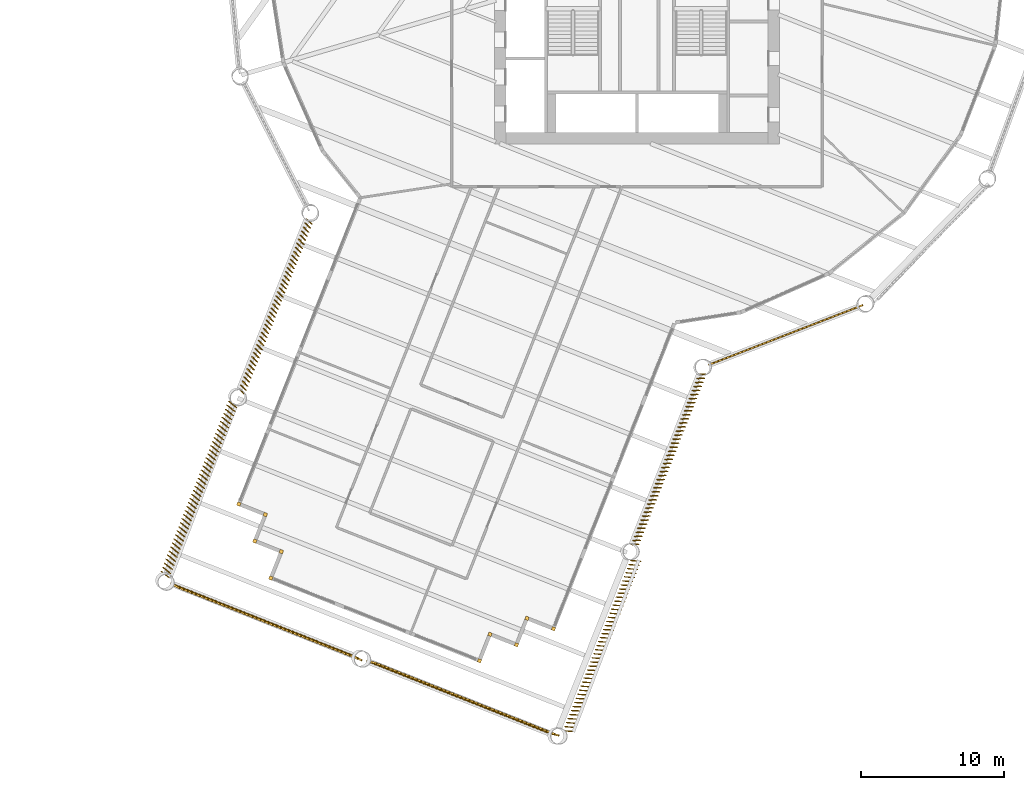
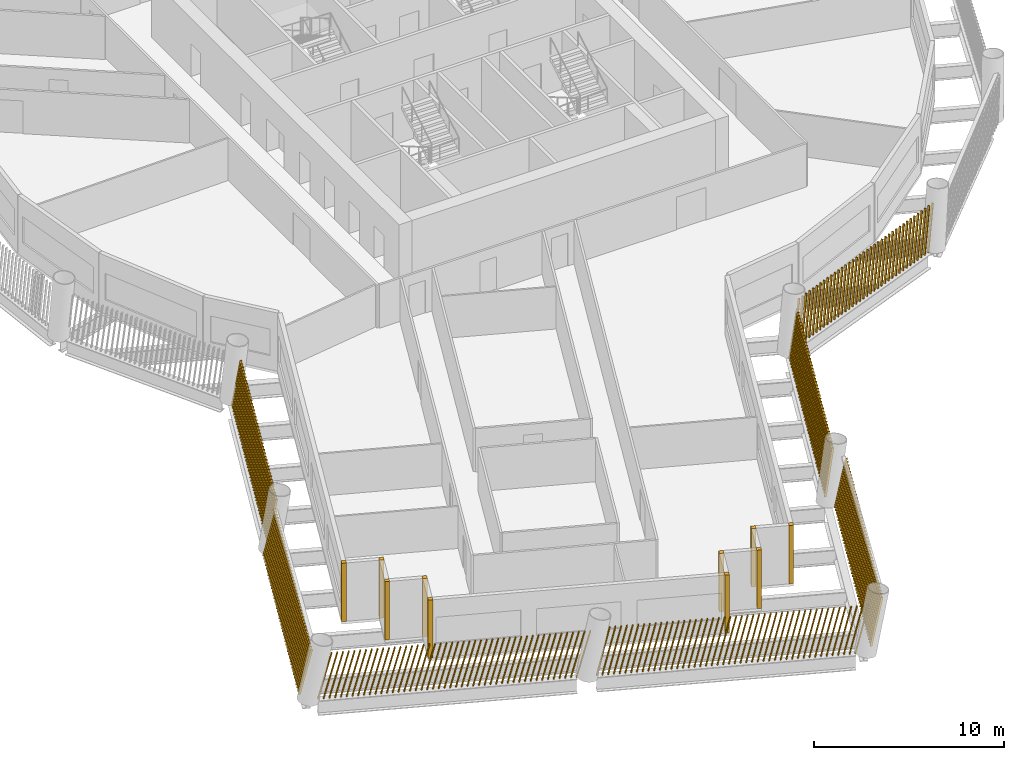
# One storey, part 12 of 17: 17 shading devices.
"""IFC4 building model written with IfcOpenShell, lengths in metres."""

from ifc_helpers import new_model, si_unit, direction, frame, frame_2d, origin, origin_2d, place, context, subcontext, project, spatial, rectangle, composite_profile, extrude, material, type_object, element, save


model = new_model("IFC4")

# Units and contexts
model_context = context("Model", 3, precision=1e-05, world=origin(), true_north=direction((0.0, 1.0)))
body_context = subcontext(model_context, "Body", "Model", "MODEL_VIEW")
ifc_project = project(units=[si_unit("LENGTHUNIT", "METRE"), si_unit("AREAUNIT", "SQUARE_METRE"), si_unit("VOLUMEUNIT", "CUBIC_METRE"), si_unit("PLANEANGLEUNIT", "RADIAN"), si_unit("MASSUNIT", "GRAM", prefix="KILO")], contexts=[model_context])

# Site, building, storey
site_placement = place(None, origin())
site = spatial("IfcSite", under=ifc_project, at=site_placement, CompositionType="ELEMENT")
building_placement = place(site_placement, origin())
building = spatial("IfcBuilding", under=site, at=building_placement, Name="Tarsis Ring Headquarters", CompositionType="ELEMENT")
storey_placement = place(building_placement, frame((0.0, 0.0, 127.89990234375)))
storey = spatial("IfcBuildingStorey", under=building, at=storey_placement, Name="L29", CompositionType="ELEMENT", Elevation=127.89990234375)

# Shading devices
ifc_material = material(Name="Terracotta baguette", Category="masonry")
shading_device_type_1 = type_object("IfcShadingDeviceType", Name="Terracotta baguette screen", PredefinedType="USERDEFINED", material=ifc_material)
shading_device_1_placement = place(storey_placement, frame((-23.152587890625, -18.248779296875, 0.0), z_axis=(0.0, 0.0, 1.0), x_axis=(-0.368452921586, -0.929647290342, 0.0)))
element("IfcShadingDevice", 1, at=shading_device_1_placement, inside=storey, type_object=shading_device_type_1, Name="Baguette screen L29-01", ObjectType="Terracotta baguette screen", PredefinedType="USERDEFINED", context=body_context, shape_type="SweptSolid", body=[
    extrude(composite_profile([rectangle(XDim=0.06005859375, YDim=0.1201171875, at=frame_2d((0.030029296875, 0.0))), rectangle(XDim=0.06005859375, YDim=0.1201171875, at=frame_2d((0.335693359375, 0.0))), rectangle(XDim=0.06005859375, YDim=0.1201171875, at=frame_2d((0.6416015625, 0.0))), rectangle(XDim=0.06005859375, YDim=0.1201171875, at=frame_2d((0.947265625, 0.0))), rectangle(XDim=0.06005859375, YDim=0.1201171875, at=frame_2d((1.253173828125, 0.0))), rectangle(XDim=0.06005859375, YDim=0.1201171875, at=frame_2d((1.558837890625, 0.0))), rectangle(XDim=0.06005859375, YDim=0.1201171875, at=frame_2d((1.864501953125, 0.0))), rectangle(XDim=0.06005859375, YDim=0.1201171875, at=frame_2d((2.17041015625, 0.0))), rectangle(XDim=0.06005859375, YDim=0.1201171875, at=frame_2d((2.47607421875, 0.0))), rectangle(XDim=0.06005859375, YDim=0.1201171875, at=frame_2d((2.781982421875, 0.0))), rectangle(XDim=0.06005859375, YDim=0.1201171875, at=frame_2d((3.087646484375, 0.0))), rectangle(XDim=0.06005859375, YDim=0.1201171875, at=frame_2d((3.393310546875, 0.0))), rectangle(XDim=0.06005859375, YDim=0.1201171875, at=frame_2d((3.69921875, 0.0))), rectangle(XDim=0.06005859375, YDim=0.1201171875, at=frame_2d((4.0048828125, 0.0))), rectangle(XDim=0.06005859375, YDim=0.1201171875, at=frame_2d((4.310791015625, 0.0))), rectangle(XDim=0.06005859375, YDim=0.1201171875, at=frame_2d((4.616455078125, 0.0))), rectangle(XDim=0.06005859375, YDim=0.1201171875, at=frame_2d((4.922119140625, 0.0))), rectangle(XDim=0.06005859375, YDim=0.1201171875, at=frame_2d((5.22802734375, 0.0))), rectangle(XDim=0.06005859375, YDim=0.1201171875, at=frame_2d((5.53369140625, 0.0))), rectangle(XDim=0.06005859375, YDim=0.1201171875, at=frame_2d((5.839599609375, 0.0))), rectangle(XDim=0.06005859375, YDim=0.1201171875, at=frame_2d((6.145263671875, 0.0))), rectangle(XDim=0.06005859375, YDim=0.1201171875, at=frame_2d((6.451171875, 0.0))), rectangle(XDim=0.06005859375, YDim=0.1201171875, at=frame_2d((6.7568359375, 0.0))), rectangle(XDim=0.06005859375, YDim=0.1201171875, at=frame_2d((7.0625, 0.0))), rectangle(XDim=0.06005859375, YDim=0.1201171875, at=frame_2d((7.368408203125, 0.0))), rectangle(XDim=0.06005859375, YDim=0.1201171875, at=frame_2d((7.674072265625, 0.0))), rectangle(XDim=0.06005859375, YDim=0.1201171875, at=frame_2d((7.97998046875, 0.0))), rectangle(XDim=0.06005859375, YDim=0.1201171875, at=frame_2d((8.28564453125, 0.0))), rectangle(XDim=0.06005859375, YDim=0.1201171875, at=frame_2d((8.59130859375, 0.0))), rectangle(XDim=0.06005859375, YDim=0.1201171875, at=frame_2d((8.897216796875, 0.0))), rectangle(XDim=0.06005859375, YDim=0.1201171875, at=frame_2d((9.202880859375, 0.0))), rectangle(XDim=0.06005859375, YDim=0.1201171875, at=frame_2d((9.5087890625, 0.0))), rectangle(XDim=0.06005859375, YDim=0.1201171875, at=frame_2d((9.814453125, 0.0))), rectangle(XDim=0.06005859375, YDim=0.1201171875, at=frame_2d((10.1201171875, 0.0))), rectangle(XDim=0.06005859375, YDim=0.1201171875, at=frame_2d((10.426025390625, 0.0))), rectangle(XDim=0.06005859375, YDim=0.1201171875, at=frame_2d((10.731689453125, 0.0))), rectangle(XDim=0.06005859375, YDim=0.1201171875, at=frame_2d((11.03759765625, 0.0))), rectangle(XDim=0.06005859375, YDim=0.1201171875, at=frame_2d((11.34326171875, 0.0))), rectangle(XDim=0.06005859375, YDim=0.1201171875, at=frame_2d((11.64892578125, 0.0))), rectangle(XDim=0.06005859375, YDim=0.1201171875, at=frame_2d((11.954833984375, 0.0))), rectangle(XDim=0.06005859375, YDim=0.1201171875, at=frame_2d((12.260498046875, 0.0))), rectangle(XDim=0.06005859375, YDim=0.1201171875, at=frame_2d((12.56640625, 0.0))), rectangle(XDim=0.06005859375, YDim=0.1201171875, at=frame_2d((12.8720703125, 0.0)))]), origin(), (0.066363957676, 0.145845918532, 0.987078919423), 2.9912109375),
])
shading_device_2_placement = place(storey_placement, frame((-28.62353515625, -31.034912109375, 0.0), z_axis=(0.0, 0.0, 1.0), x_axis=(-0.368440971105, -0.929645959089, 0.0)))
element("IfcShadingDevice", 2, at=shading_device_2_placement, inside=storey, type_object=shading_device_type_1, Name="Baguette screen L29-02", ObjectType="Terracotta baguette screen", PredefinedType="USERDEFINED", context=body_context, shape_type="SweptSolid", body=[
    extrude(composite_profile([rectangle(XDim=0.06005859375, YDim=0.1201171875, at=frame_2d((0.030029296875, 0.0))), rectangle(XDim=0.06005859375, YDim=0.1201171875, at=frame_2d((0.335693359375, 0.0))), rectangle(XDim=0.06005859375, YDim=0.1201171875, at=frame_2d((0.6416015625, 0.0))), rectangle(XDim=0.06005859375, YDim=0.1201171875, at=frame_2d((0.947265625, 0.0))), rectangle(XDim=0.06005859375, YDim=0.1201171875, at=frame_2d((1.253173828125, 0.0))), rectangle(XDim=0.06005859375, YDim=0.1201171875, at=frame_2d((1.558837890625, 0.0))), rectangle(XDim=0.06005859375, YDim=0.1201171875, at=frame_2d((1.864501953125, 0.0))), rectangle(XDim=0.06005859375, YDim=0.1201171875, at=frame_2d((2.17041015625, 0.0))), rectangle(XDim=0.06005859375, YDim=0.1201171875, at=frame_2d((2.47607421875, 0.0))), rectangle(XDim=0.06005859375, YDim=0.1201171875, at=frame_2d((2.781982421875, 0.0))), rectangle(XDim=0.06005859375, YDim=0.1201171875, at=frame_2d((3.087646484375, 0.0))), rectangle(XDim=0.06005859375, YDim=0.1201171875, at=frame_2d((3.393310546875, 0.0))), rectangle(XDim=0.06005859375, YDim=0.1201171875, at=frame_2d((3.69921875, 0.0))), rectangle(XDim=0.06005859375, YDim=0.1201171875, at=frame_2d((4.0048828125, 0.0))), rectangle(XDim=0.06005859375, YDim=0.1201171875, at=frame_2d((4.310791015625, 0.0))), rectangle(XDim=0.06005859375, YDim=0.1201171875, at=frame_2d((4.616455078125, 0.0))), rectangle(XDim=0.06005859375, YDim=0.1201171875, at=frame_2d((4.922119140625, 0.0))), rectangle(XDim=0.06005859375, YDim=0.1201171875, at=frame_2d((5.22802734375, 0.0))), rectangle(XDim=0.06005859375, YDim=0.1201171875, at=frame_2d((5.53369140625, 0.0))), rectangle(XDim=0.06005859375, YDim=0.1201171875, at=frame_2d((5.839599609375, 0.0))), rectangle(XDim=0.06005859375, YDim=0.1201171875, at=frame_2d((6.145263671875, 0.0))), rectangle(XDim=0.06005859375, YDim=0.1201171875, at=frame_2d((6.451171875, 0.0))), rectangle(XDim=0.06005859375, YDim=0.1201171875, at=frame_2d((6.7568359375, 0.0))), rectangle(XDim=0.06005859375, YDim=0.1201171875, at=frame_2d((7.0625, 0.0))), rectangle(XDim=0.06005859375, YDim=0.1201171875, at=frame_2d((7.368408203125, 0.0))), rectangle(XDim=0.06005859375, YDim=0.1201171875, at=frame_2d((7.674072265625, 0.0))), rectangle(XDim=0.06005859375, YDim=0.1201171875, at=frame_2d((7.97998046875, 0.0))), rectangle(XDim=0.06005859375, YDim=0.1201171875, at=frame_2d((8.28564453125, 0.0))), rectangle(XDim=0.06005859375, YDim=0.1201171875, at=frame_2d((8.59130859375, 0.0))), rectangle(XDim=0.06005859375, YDim=0.1201171875, at=frame_2d((8.897216796875, 0.0))), rectangle(XDim=0.06005859375, YDim=0.1201171875, at=frame_2d((9.202880859375, 0.0))), rectangle(XDim=0.06005859375, YDim=0.1201171875, at=frame_2d((9.5087890625, 0.0))), rectangle(XDim=0.06005859375, YDim=0.1201171875, at=frame_2d((9.814453125, 0.0))), rectangle(XDim=0.06005859375, YDim=0.1201171875, at=frame_2d((10.1201171875, 0.0))), rectangle(XDim=0.06005859375, YDim=0.1201171875, at=frame_2d((10.426025390625, 0.0))), rectangle(XDim=0.06005859375, YDim=0.1201171875, at=frame_2d((10.731689453125, 0.0))), rectangle(XDim=0.06005859375, YDim=0.1201171875, at=frame_2d((11.03759765625, 0.0))), rectangle(XDim=0.06005859375, YDim=0.1201171875, at=frame_2d((11.34326171875, 0.0))), rectangle(XDim=0.06005859375, YDim=0.1201171875, at=frame_2d((11.64892578125, 0.0))), rectangle(XDim=0.06005859375, YDim=0.1201171875, at=frame_2d((11.954833984375, 0.0))), rectangle(XDim=0.06005859375, YDim=0.1201171875, at=frame_2d((12.260498046875, 0.0))), rectangle(XDim=0.06005859375, YDim=0.1201171875, at=frame_2d((12.56640625, 0.0))), rectangle(XDim=0.06005859375, YDim=0.1201171875, at=frame_2d((12.8720703125, 0.0)))]), origin(), (0.066888724222, 0.20679673674, 0.976094774213), 3.02490234375),
])
shading_device_3_placement = place(storey_placement, frame((-32.748046875, -43.816650390625, 0.0), z_axis=(0.0, 0.0, 1.0), x_axis=(0.929658198287, -0.36844526219, 0.0)))
element("IfcShadingDevice", 3, at=shading_device_3_placement, inside=storey, type_object=shading_device_type_1, Name="Baguette screen L29-03", ObjectType="Terracotta baguette screen", PredefinedType="USERDEFINED", context=body_context, shape_type="SweptSolid", body=[
    extrude(composite_profile([rectangle(XDim=0.06005859375, YDim=0.1201171875, at=frame_2d((0.030029296875, 0.0))), rectangle(XDim=0.06005859375, YDim=0.1201171875, at=frame_2d((0.33544921875, 0.0))), rectangle(XDim=0.06005859375, YDim=0.1201171875, at=frame_2d((0.640625, 0.0))), rectangle(XDim=0.06005859375, YDim=0.1201171875, at=frame_2d((0.946044921875, 0.0))), rectangle(XDim=0.06005859375, YDim=0.1201171875, at=frame_2d((1.25146484375, 0.0))), rectangle(XDim=0.06005859375, YDim=0.1201171875, at=frame_2d((1.556640625, 0.0))), rectangle(XDim=0.06005859375, YDim=0.1201171875, at=frame_2d((1.862060546875, 0.0))), rectangle(XDim=0.06005859375, YDim=0.1201171875, at=frame_2d((2.16748046875, 0.0))), rectangle(XDim=0.06005859375, YDim=0.1201171875, at=frame_2d((2.47265625, 0.0))), rectangle(XDim=0.06005859375, YDim=0.1201171875, at=frame_2d((2.778076171875, 0.0))), rectangle(XDim=0.06005859375, YDim=0.1201171875, at=frame_2d((3.08349609375, 0.0))), rectangle(XDim=0.06005859375, YDim=0.1201171875, at=frame_2d((3.388671875, 0.0))), rectangle(XDim=0.06005859375, YDim=0.1201171875, at=frame_2d((3.694091796875, 0.0))), rectangle(XDim=0.06005859375, YDim=0.1201171875, at=frame_2d((3.99951171875, 0.0))), rectangle(XDim=0.06005859375, YDim=0.1201171875, at=frame_2d((4.3046875, 0.0))), rectangle(XDim=0.06005859375, YDim=0.1201171875, at=frame_2d((4.610107421875, 0.0))), rectangle(XDim=0.06005859375, YDim=0.1201171875, at=frame_2d((4.91552734375, 0.0))), rectangle(XDim=0.06005859375, YDim=0.1201171875, at=frame_2d((5.220703125, 0.0))), rectangle(XDim=0.06005859375, YDim=0.1201171875, at=frame_2d((5.526123046875, 0.0))), rectangle(XDim=0.06005859375, YDim=0.1201171875, at=frame_2d((5.83154296875, 0.0))), rectangle(XDim=0.06005859375, YDim=0.1201171875, at=frame_2d((6.13671875, 0.0))), rectangle(XDim=0.06005859375, YDim=0.1201171875, at=frame_2d((6.442138671875, 0.0))), rectangle(XDim=0.06005859375, YDim=0.1201171875, at=frame_2d((6.74755859375, 0.0))), rectangle(XDim=0.06005859375, YDim=0.1201171875, at=frame_2d((7.052734375, 0.0))), rectangle(XDim=0.06005859375, YDim=0.1201171875, at=frame_2d((7.358154296875, 0.0))), rectangle(XDim=0.06005859375, YDim=0.1201171875, at=frame_2d((7.66357421875, 0.0))), rectangle(XDim=0.06005859375, YDim=0.1201171875, at=frame_2d((7.96875, 0.0))), rectangle(XDim=0.06005859375, YDim=0.1201171875, at=frame_2d((8.274169921875, 0.0))), rectangle(XDim=0.06005859375, YDim=0.1201171875, at=frame_2d((8.57958984375, 0.0))), rectangle(XDim=0.06005859375, YDim=0.1201171875, at=frame_2d((8.884765625, 0.0))), rectangle(XDim=0.06005859375, YDim=0.1201171875, at=frame_2d((9.190185546875, 0.0))), rectangle(XDim=0.06005859375, YDim=0.1201171875, at=frame_2d((9.49560546875, 0.0))), rectangle(XDim=0.06005859375, YDim=0.1201171875, at=frame_2d((9.80078125, 0.0))), rectangle(XDim=0.06005859375, YDim=0.1201171875, at=frame_2d((10.106201171875, 0.0))), rectangle(XDim=0.06005859375, YDim=0.1201171875, at=frame_2d((10.41162109375, 0.0))), rectangle(XDim=0.06005859375, YDim=0.1201171875, at=frame_2d((10.716796875, 0.0))), rectangle(XDim=0.06005859375, YDim=0.1201171875, at=frame_2d((11.022216796875, 0.0))), rectangle(XDim=0.06005859375, YDim=0.1201171875, at=frame_2d((11.32763671875, 0.0))), rectangle(XDim=0.06005859375, YDim=0.1201171875, at=frame_2d((11.6328125, 0.0))), rectangle(XDim=0.06005859375, YDim=0.1201171875, at=frame_2d((11.938232421875, 0.0))), rectangle(XDim=0.06005859375, YDim=0.1201171875, at=frame_2d((12.24365234375, 0.0))), rectangle(XDim=0.06005859375, YDim=0.1201171875, at=frame_2d((12.548828125, 0.0))), rectangle(XDim=0.06005859375, YDim=0.1201171875, at=frame_2d((12.854248046875, 0.0))), rectangle(XDim=0.06005859375, YDim=0.1201171875, at=frame_2d((13.15966796875, 0.0))), rectangle(XDim=0.06005859375, YDim=0.1201171875, at=frame_2d((13.46484375, 0.0))), rectangle(XDim=0.06005859375, YDim=0.1201171875, at=frame_2d((13.770263671875, 0.0)))]), origin(), (0.236624258299, -0.031524148331, 0.971089691252), 3.04052734375),
])
shading_device_4_placement = place(storey_placement, frame((-18.9892578125, -49.26953125, 0.0), z_axis=(0.0, 0.0, 1.0), x_axis=(0.929641751437, -0.368456435206, 0.0)))
element("IfcShadingDevice", 4, at=shading_device_4_placement, inside=storey, type_object=shading_device_type_1, Name="Baguette screen L29-04", ObjectType="Terracotta baguette screen", PredefinedType="USERDEFINED", context=body_context, shape_type="SweptSolid", body=[
    extrude(composite_profile([rectangle(XDim=0.06005859375, YDim=0.1201171875, at=frame_2d((0.030029296875, 0.0))), rectangle(XDim=0.06005859375, YDim=0.1201171875, at=frame_2d((0.33544921875, 0.0))), rectangle(XDim=0.06005859375, YDim=0.1201171875, at=frame_2d((0.640625, 0.0))), rectangle(XDim=0.06005859375, YDim=0.1201171875, at=frame_2d((0.946044921875, 0.0))), rectangle(XDim=0.06005859375, YDim=0.1201171875, at=frame_2d((1.25146484375, 0.0))), rectangle(XDim=0.06005859375, YDim=0.1201171875, at=frame_2d((1.556640625, 0.0))), rectangle(XDim=0.06005859375, YDim=0.1201171875, at=frame_2d((1.862060546875, 0.0))), rectangle(XDim=0.06005859375, YDim=0.1201171875, at=frame_2d((2.16748046875, 0.0))), rectangle(XDim=0.06005859375, YDim=0.1201171875, at=frame_2d((2.47265625, 0.0))), rectangle(XDim=0.06005859375, YDim=0.1201171875, at=frame_2d((2.778076171875, 0.0))), rectangle(XDim=0.06005859375, YDim=0.1201171875, at=frame_2d((3.08349609375, 0.0))), rectangle(XDim=0.06005859375, YDim=0.1201171875, at=frame_2d((3.388671875, 0.0))), rectangle(XDim=0.06005859375, YDim=0.1201171875, at=frame_2d((3.694091796875, 0.0))), rectangle(XDim=0.06005859375, YDim=0.1201171875, at=frame_2d((3.99951171875, 0.0))), rectangle(XDim=0.06005859375, YDim=0.1201171875, at=frame_2d((4.3046875, 0.0))), rectangle(XDim=0.06005859375, YDim=0.1201171875, at=frame_2d((4.610107421875, 0.0))), rectangle(XDim=0.06005859375, YDim=0.1201171875, at=frame_2d((4.91552734375, 0.0))), rectangle(XDim=0.06005859375, YDim=0.1201171875, at=frame_2d((5.220703125, 0.0))), rectangle(XDim=0.06005859375, YDim=0.1201171875, at=frame_2d((5.526123046875, 0.0))), rectangle(XDim=0.06005859375, YDim=0.1201171875, at=frame_2d((5.83154296875, 0.0))), rectangle(XDim=0.06005859375, YDim=0.1201171875, at=frame_2d((6.13671875, 0.0))), rectangle(XDim=0.06005859375, YDim=0.1201171875, at=frame_2d((6.442138671875, 0.0))), rectangle(XDim=0.06005859375, YDim=0.1201171875, at=frame_2d((6.74755859375, 0.0))), rectangle(XDim=0.06005859375, YDim=0.1201171875, at=frame_2d((7.052734375, 0.0))), rectangle(XDim=0.06005859375, YDim=0.1201171875, at=frame_2d((7.358154296875, 0.0))), rectangle(XDim=0.06005859375, YDim=0.1201171875, at=frame_2d((7.66357421875, 0.0))), rectangle(XDim=0.06005859375, YDim=0.1201171875, at=frame_2d((7.96875, 0.0))), rectangle(XDim=0.06005859375, YDim=0.1201171875, at=frame_2d((8.274169921875, 0.0))), rectangle(XDim=0.06005859375, YDim=0.1201171875, at=frame_2d((8.57958984375, 0.0))), rectangle(XDim=0.06005859375, YDim=0.1201171875, at=frame_2d((8.884765625, 0.0))), rectangle(XDim=0.06005859375, YDim=0.1201171875, at=frame_2d((9.190185546875, 0.0))), rectangle(XDim=0.06005859375, YDim=0.1201171875, at=frame_2d((9.49560546875, 0.0))), rectangle(XDim=0.06005859375, YDim=0.1201171875, at=frame_2d((9.80078125, 0.0))), rectangle(XDim=0.06005859375, YDim=0.1201171875, at=frame_2d((10.106201171875, 0.0))), rectangle(XDim=0.06005859375, YDim=0.1201171875, at=frame_2d((10.41162109375, 0.0))), rectangle(XDim=0.06005859375, YDim=0.1201171875, at=frame_2d((10.716796875, 0.0))), rectangle(XDim=0.06005859375, YDim=0.1201171875, at=frame_2d((11.022216796875, 0.0))), rectangle(XDim=0.06005859375, YDim=0.1201171875, at=frame_2d((11.32763671875, 0.0))), rectangle(XDim=0.06005859375, YDim=0.1201171875, at=frame_2d((11.6328125, 0.0))), rectangle(XDim=0.06005859375, YDim=0.1201171875, at=frame_2d((11.938232421875, 0.0))), rectangle(XDim=0.06005859375, YDim=0.1201171875, at=frame_2d((12.24365234375, 0.0))), rectangle(XDim=0.06005859375, YDim=0.1201171875, at=frame_2d((12.548828125, 0.0))), rectangle(XDim=0.06005859375, YDim=0.1201171875, at=frame_2d((12.854248046875, 0.0))), rectangle(XDim=0.06005859375, YDim=0.1201171875, at=frame_2d((13.15966796875, 0.0))), rectangle(XDim=0.06005859375, YDim=0.1201171875, at=frame_2d((13.46484375, 0.0))), rectangle(XDim=0.06005859375, YDim=0.1201171875, at=frame_2d((13.770263671875, 0.0)))]), origin(), (0.23617054866, 0.034742744485, 0.971090322087), 3.04052734375),
])
shading_device_5_placement = place(storey_placement, frame((-5.16259765625, -54.2119140625, 0.0), z_axis=(0.0, 0.0, 1.0), x_axis=(0.368452921586, 0.929647290342, 0.0)))
element("IfcShadingDevice", 5, at=shading_device_5_placement, inside=storey, type_object=shading_device_type_1, Name="Baguette screen L29-05", ObjectType="Terracotta baguette screen", PredefinedType="USERDEFINED", context=body_context, shape_type="SweptSolid", body=[
    extrude(composite_profile([rectangle(XDim=0.06005859375, YDim=0.1201171875, at=frame_2d((0.030029296875, 0.0))), rectangle(XDim=0.06005859375, YDim=0.1201171875, at=frame_2d((0.335693359375, 0.0))), rectangle(XDim=0.06005859375, YDim=0.1201171875, at=frame_2d((0.6416015625, 0.0))), rectangle(XDim=0.06005859375, YDim=0.1201171875, at=frame_2d((0.947265625, 0.0))), rectangle(XDim=0.06005859375, YDim=0.1201171875, at=frame_2d((1.253173828125, 0.0))), rectangle(XDim=0.06005859375, YDim=0.1201171875, at=frame_2d((1.558837890625, 0.0))), rectangle(XDim=0.06005859375, YDim=0.1201171875, at=frame_2d((1.864501953125, 0.0))), rectangle(XDim=0.06005859375, YDim=0.1201171875, at=frame_2d((2.17041015625, 0.0))), rectangle(XDim=0.06005859375, YDim=0.1201171875, at=frame_2d((2.47607421875, 0.0))), rectangle(XDim=0.06005859375, YDim=0.1201171875, at=frame_2d((2.781982421875, 0.0))), rectangle(XDim=0.06005859375, YDim=0.1201171875, at=frame_2d((3.087646484375, 0.0))), rectangle(XDim=0.06005859375, YDim=0.1201171875, at=frame_2d((3.393310546875, 0.0))), rectangle(XDim=0.06005859375, YDim=0.1201171875, at=frame_2d((3.69921875, 0.0))), rectangle(XDim=0.06005859375, YDim=0.1201171875, at=frame_2d((4.0048828125, 0.0))), rectangle(XDim=0.06005859375, YDim=0.1201171875, at=frame_2d((4.310791015625, 0.0))), rectangle(XDim=0.06005859375, YDim=0.1201171875, at=frame_2d((4.616455078125, 0.0))), rectangle(XDim=0.06005859375, YDim=0.1201171875, at=frame_2d((4.922119140625, 0.0))), rectangle(XDim=0.06005859375, YDim=0.1201171875, at=frame_2d((5.22802734375, 0.0))), rectangle(XDim=0.06005859375, YDim=0.1201171875, at=frame_2d((5.53369140625, 0.0))), rectangle(XDim=0.06005859375, YDim=0.1201171875, at=frame_2d((5.839599609375, 0.0))), rectangle(XDim=0.06005859375, YDim=0.1201171875, at=frame_2d((6.145263671875, 0.0))), rectangle(XDim=0.06005859375, YDim=0.1201171875, at=frame_2d((6.451171875, 0.0))), rectangle(XDim=0.06005859375, YDim=0.1201171875, at=frame_2d((6.7568359375, 0.0))), rectangle(XDim=0.06005859375, YDim=0.1201171875, at=frame_2d((7.0625, 0.0))), rectangle(XDim=0.06005859375, YDim=0.1201171875, at=frame_2d((7.368408203125, 0.0))), rectangle(XDim=0.06005859375, YDim=0.1201171875, at=frame_2d((7.674072265625, 0.0))), rectangle(XDim=0.06005859375, YDim=0.1201171875, at=frame_2d((7.97998046875, 0.0))), rectangle(XDim=0.06005859375, YDim=0.1201171875, at=frame_2d((8.28564453125, 0.0))), rectangle(XDim=0.06005859375, YDim=0.1201171875, at=frame_2d((8.59130859375, 0.0))), rectangle(XDim=0.06005859375, YDim=0.1201171875, at=frame_2d((8.897216796875, 0.0))), rectangle(XDim=0.06005859375, YDim=0.1201171875, at=frame_2d((9.202880859375, 0.0))), rectangle(XDim=0.06005859375, YDim=0.1201171875, at=frame_2d((9.5087890625, 0.0))), rectangle(XDim=0.06005859375, YDim=0.1201171875, at=frame_2d((9.814453125, 0.0))), rectangle(XDim=0.06005859375, YDim=0.1201171875, at=frame_2d((10.1201171875, 0.0))), rectangle(XDim=0.06005859375, YDim=0.1201171875, at=frame_2d((10.426025390625, 0.0))), rectangle(XDim=0.06005859375, YDim=0.1201171875, at=frame_2d((10.731689453125, 0.0))), rectangle(XDim=0.06005859375, YDim=0.1201171875, at=frame_2d((11.03759765625, 0.0))), rectangle(XDim=0.06005859375, YDim=0.1201171875, at=frame_2d((11.34326171875, 0.0))), rectangle(XDim=0.06005859375, YDim=0.1201171875, at=frame_2d((11.64892578125, 0.0))), rectangle(XDim=0.06005859375, YDim=0.1201171875, at=frame_2d((11.954833984375, 0.0))), rectangle(XDim=0.06005859375, YDim=0.1201171875, at=frame_2d((12.260498046875, 0.0))), rectangle(XDim=0.06005859375, YDim=0.1201171875, at=frame_2d((12.56640625, 0.0))), rectangle(XDim=0.06005859375, YDim=0.1201171875, at=frame_2d((12.8720703125, 0.0)))]), origin(), (0.06969734602, -0.205867995707, 0.976094589833), 3.02490234375),
])
shading_device_6_placement = place(storey_placement, frame((-0.388916015625, -41.1494140625, 0.0), z_axis=(0.0, 0.0, 1.0), x_axis=(0.368452921586, 0.929647290342, 0.0)))
element("IfcShadingDevice", 6, at=shading_device_6_placement, inside=storey, type_object=shading_device_type_1, Name="Baguette screen L29-06", ObjectType="Terracotta baguette screen", PredefinedType="USERDEFINED", context=body_context, shape_type="SweptSolid", body=[
    extrude(composite_profile([rectangle(XDim=0.06005859375, YDim=0.1201171875, at=frame_2d((0.030029296875, 0.0))), rectangle(XDim=0.06005859375, YDim=0.1201171875, at=frame_2d((0.335693359375, 0.0))), rectangle(XDim=0.06005859375, YDim=0.1201171875, at=frame_2d((0.6416015625, 0.0))), rectangle(XDim=0.06005859375, YDim=0.1201171875, at=frame_2d((0.947265625, 0.0))), rectangle(XDim=0.06005859375, YDim=0.1201171875, at=frame_2d((1.253173828125, 0.0))), rectangle(XDim=0.06005859375, YDim=0.1201171875, at=frame_2d((1.558837890625, 0.0))), rectangle(XDim=0.06005859375, YDim=0.1201171875, at=frame_2d((1.864501953125, 0.0))), rectangle(XDim=0.06005859375, YDim=0.1201171875, at=frame_2d((2.17041015625, 0.0))), rectangle(XDim=0.06005859375, YDim=0.1201171875, at=frame_2d((2.47607421875, 0.0))), rectangle(XDim=0.06005859375, YDim=0.1201171875, at=frame_2d((2.781982421875, 0.0))), rectangle(XDim=0.06005859375, YDim=0.1201171875, at=frame_2d((3.087646484375, 0.0))), rectangle(XDim=0.06005859375, YDim=0.1201171875, at=frame_2d((3.393310546875, 0.0))), rectangle(XDim=0.06005859375, YDim=0.1201171875, at=frame_2d((3.69921875, 0.0))), rectangle(XDim=0.06005859375, YDim=0.1201171875, at=frame_2d((4.0048828125, 0.0))), rectangle(XDim=0.06005859375, YDim=0.1201171875, at=frame_2d((4.310791015625, 0.0))), rectangle(XDim=0.06005859375, YDim=0.1201171875, at=frame_2d((4.616455078125, 0.0))), rectangle(XDim=0.06005859375, YDim=0.1201171875, at=frame_2d((4.922119140625, 0.0))), rectangle(XDim=0.06005859375, YDim=0.1201171875, at=frame_2d((5.22802734375, 0.0))), rectangle(XDim=0.06005859375, YDim=0.1201171875, at=frame_2d((5.53369140625, 0.0))), rectangle(XDim=0.06005859375, YDim=0.1201171875, at=frame_2d((5.839599609375, 0.0))), rectangle(XDim=0.06005859375, YDim=0.1201171875, at=frame_2d((6.145263671875, 0.0))), rectangle(XDim=0.06005859375, YDim=0.1201171875, at=frame_2d((6.451171875, 0.0))), rectangle(XDim=0.06005859375, YDim=0.1201171875, at=frame_2d((6.7568359375, 0.0))), rectangle(XDim=0.06005859375, YDim=0.1201171875, at=frame_2d((7.0625, 0.0))), rectangle(XDim=0.06005859375, YDim=0.1201171875, at=frame_2d((7.368408203125, 0.0))), rectangle(XDim=0.06005859375, YDim=0.1201171875, at=frame_2d((7.674072265625, 0.0))), rectangle(XDim=0.06005859375, YDim=0.1201171875, at=frame_2d((7.97998046875, 0.0))), rectangle(XDim=0.06005859375, YDim=0.1201171875, at=frame_2d((8.28564453125, 0.0))), rectangle(XDim=0.06005859375, YDim=0.1201171875, at=frame_2d((8.59130859375, 0.0))), rectangle(XDim=0.06005859375, YDim=0.1201171875, at=frame_2d((8.897216796875, 0.0))), rectangle(XDim=0.06005859375, YDim=0.1201171875, at=frame_2d((9.202880859375, 0.0))), rectangle(XDim=0.06005859375, YDim=0.1201171875, at=frame_2d((9.5087890625, 0.0))), rectangle(XDim=0.06005859375, YDim=0.1201171875, at=frame_2d((9.814453125, 0.0))), rectangle(XDim=0.06005859375, YDim=0.1201171875, at=frame_2d((10.1201171875, 0.0))), rectangle(XDim=0.06005859375, YDim=0.1201171875, at=frame_2d((10.426025390625, 0.0))), rectangle(XDim=0.06005859375, YDim=0.1201171875, at=frame_2d((10.731689453125, 0.0))), rectangle(XDim=0.06005859375, YDim=0.1201171875, at=frame_2d((11.03759765625, 0.0))), rectangle(XDim=0.06005859375, YDim=0.1201171875, at=frame_2d((11.34326171875, 0.0))), rectangle(XDim=0.06005859375, YDim=0.1201171875, at=frame_2d((11.64892578125, 0.0))), rectangle(XDim=0.06005859375, YDim=0.1201171875, at=frame_2d((11.954833984375, 0.0))), rectangle(XDim=0.06005859375, YDim=0.1201171875, at=frame_2d((12.260498046875, 0.0))), rectangle(XDim=0.06005859375, YDim=0.1201171875, at=frame_2d((12.56640625, 0.0))), rectangle(XDim=0.06005859375, YDim=0.1201171875, at=frame_2d((12.8720703125, 0.0)))]), origin(), (0.068344194199, -0.144928163262, 0.987078972835), 2.9912109375),
])
shading_device_7_placement = place(storey_placement, frame((5.015380859375, -28.509521484375, 0.0), z_axis=(0.0, 0.0, 1.0), x_axis=(0.932437711607, 0.361316086466, 0.0)))
element("IfcShadingDevice", 7, at=shading_device_7_placement, inside=storey, type_object=shading_device_type_1, Name="Baguette screen L29-07", ObjectType="Terracotta baguette screen", PredefinedType="USERDEFINED", context=body_context, shape_type="SweptSolid", body=[
    extrude(composite_profile([rectangle(XDim=0.06005859375, YDim=0.1201171875, at=frame_2d((0.030029296875, 0.0))), rectangle(XDim=0.06005859375, YDim=0.1201171875, at=frame_2d((0.33251953125, 0.0))), rectangle(XDim=0.06005859375, YDim=0.1201171875, at=frame_2d((0.634765625, 0.0))), rectangle(XDim=0.06005859375, YDim=0.1201171875, at=frame_2d((0.937255859375, 0.0))), rectangle(XDim=0.06005859375, YDim=0.1201171875, at=frame_2d((1.239501953125, 0.0))), rectangle(XDim=0.06005859375, YDim=0.1201171875, at=frame_2d((1.5419921875, 0.0))), rectangle(XDim=0.06005859375, YDim=0.1201171875, at=frame_2d((1.844482421875, 0.0))), rectangle(XDim=0.06005859375, YDim=0.1201171875, at=frame_2d((2.146728515625, 0.0))), rectangle(XDim=0.06005859375, YDim=0.1201171875, at=frame_2d((2.44921875, 0.0))), rectangle(XDim=0.06005859375, YDim=0.1201171875, at=frame_2d((2.751708984375, 0.0))), rectangle(XDim=0.06005859375, YDim=0.1201171875, at=frame_2d((3.053955078125, 0.0))), rectangle(XDim=0.06005859375, YDim=0.1201171875, at=frame_2d((3.3564453125, 0.0))), rectangle(XDim=0.06005859375, YDim=0.1201171875, at=frame_2d((3.65869140625, 0.0))), rectangle(XDim=0.06005859375, YDim=0.1201171875, at=frame_2d((3.961181640625, 0.0))), rectangle(XDim=0.06005859375, YDim=0.1201171875, at=frame_2d((4.263671875, 0.0))), rectangle(XDim=0.06005859375, YDim=0.1201171875, at=frame_2d((4.56591796875, 0.0))), rectangle(XDim=0.06005859375, YDim=0.1201171875, at=frame_2d((4.868408203125, 0.0))), rectangle(XDim=0.06005859375, YDim=0.1201171875, at=frame_2d((5.1708984375, 0.0))), rectangle(XDim=0.06005859375, YDim=0.1201171875, at=frame_2d((5.47314453125, 0.0))), rectangle(XDim=0.06005859375, YDim=0.1201171875, at=frame_2d((5.775634765625, 0.0))), rectangle(XDim=0.06005859375, YDim=0.1201171875, at=frame_2d((6.077880859375, 0.0))), rectangle(XDim=0.06005859375, YDim=0.1201171875, at=frame_2d((6.38037109375, 0.0))), rectangle(XDim=0.06005859375, YDim=0.1201171875, at=frame_2d((6.682861328125, 0.0))), rectangle(XDim=0.06005859375, YDim=0.1201171875, at=frame_2d((6.985107421875, 0.0))), rectangle(XDim=0.06005859375, YDim=0.1201171875, at=frame_2d((7.28759765625, 0.0))), rectangle(XDim=0.06005859375, YDim=0.1201171875, at=frame_2d((7.590087890625, 0.0))), rectangle(XDim=0.06005859375, YDim=0.1201171875, at=frame_2d((7.892333984375, 0.0))), rectangle(XDim=0.06005859375, YDim=0.1201171875, at=frame_2d((8.19482421875, 0.0))), rectangle(XDim=0.06005859375, YDim=0.1201171875, at=frame_2d((8.4970703125, 0.0))), rectangle(XDim=0.06005859375, YDim=0.1201171875, at=frame_2d((8.799560546875, 0.0))), rectangle(XDim=0.06005859375, YDim=0.1201171875, at=frame_2d((9.10205078125, 0.0))), rectangle(XDim=0.06005859375, YDim=0.1201171875, at=frame_2d((9.404296875, 0.0))), rectangle(XDim=0.06005859375, YDim=0.1201171875, at=frame_2d((9.706787109375, 0.0))), rectangle(XDim=0.06005859375, YDim=0.1201171875, at=frame_2d((10.00927734375, 0.0))), rectangle(XDim=0.06005859375, YDim=0.1201171875, at=frame_2d((10.3115234375, 0.0))), rectangle(XDim=0.06005859375, YDim=0.1201171875, at=frame_2d((10.614013671875, 0.0))), rectangle(XDim=0.06005859375, YDim=0.1201171875, at=frame_2d((10.916259765625, 0.0))), rectangle(XDim=0.06005859375, YDim=0.1201171875, at=frame_2d((11.21875, 0.0)))]), origin(), (0.129809638226, 0.00088388003, 0.991538540138), 2.977783203125),
])
shading_device_type_2 = type_object("IfcShadingDeviceType", Name="Terracotta corner baguette 250x250", PredefinedType="USERDEFINED", material=ifc_material)
for number, where, z_axis, x_axis, name in (
    (8, (-27.942138671875, -38.272216796875, 0.0), (0.0, 0.0, 1.0), (-0.368449067245, -0.929647935966, 0.0), "Corner baguette L29-07"),
    (9, (-26.082763671875, -39.00927734375, 0.0), (0.0, 0.0, 1.0), (0.929647968119, -0.368448986118, 0.0), "Corner baguette L29-08"),
    (10, (-26.81982421875, -40.868408203125, 0.0), (0.0, 0.0, 1.0), (-0.368449164597, -0.929647897382, 0.0), "Corner baguette L29-09"),
    (11, (-24.96044921875, -41.60546875, 0.0), (0.0, 0.0, 1.0), (0.929647730185, -0.368449586458, 0.0), "Corner baguette L29-10"),
    (12, (-25.697265625, -43.464599609375, 0.0), (0.0, 0.0, 1.0), (-0.368448986118, -0.929647968119, 0.0), "Corner baguette L29-11"),
    (13, (-11.055419921875, -49.267822265625, 0.0), (0.0, 0.0, 1.0), (0.929647935966, -0.368449067245, 0.0), "Corner baguette L29-12"),
    (14, (-10.318603515625, -47.408447265625, 0.0), (0.0, 0.0, 1.0), (0.368448986118, 0.929647968119, 0.0), "Corner baguette L29-13"),
    (15, (-8.459228515625, -48.145263671875, 0.0), (0.0, 0.0, 1.0), (0.929648032426, -0.368448823864, 0.0), "Corner baguette L29-14"),
    (16, (-7.722412109375, -46.2861328125, 0.0), (0.0, 0.0, 1.0), (0.368448986118, 0.929647968119, 0.0), "Corner baguette L29-15"),
    (17, (-5.863037109375, -47.02294921875, 0.0), (0.0, 0.0, 1.0), (0.929647897382, -0.368449164597, 0.0), "Corner baguette L29-16"),
):
    element("IfcShadingDevice", number, at=place(storey_placement, frame(where, z_axis=z_axis, x_axis=x_axis)), inside=storey, type_object=shading_device_type_2, Name=name, ObjectType="Terracotta corner baguette", PredefinedType="USERDEFINED", context=body_context, shape_type="SweptSolid", body=[
        extrude(rectangle(XDim=0.25, YDim=0.25, at=origin_2d()), origin(), (0.0, 0.0, 1.0), 3.739990234375),
    ])

save(model, "model.ifc")
